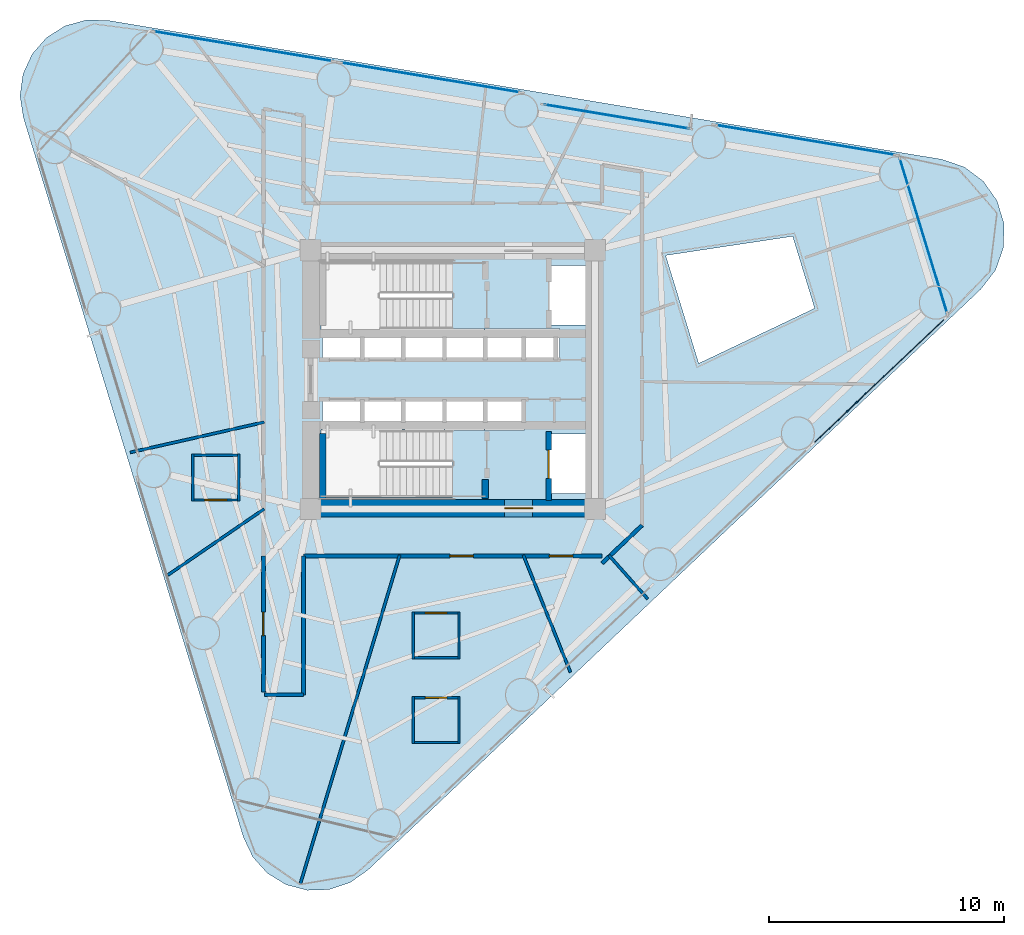
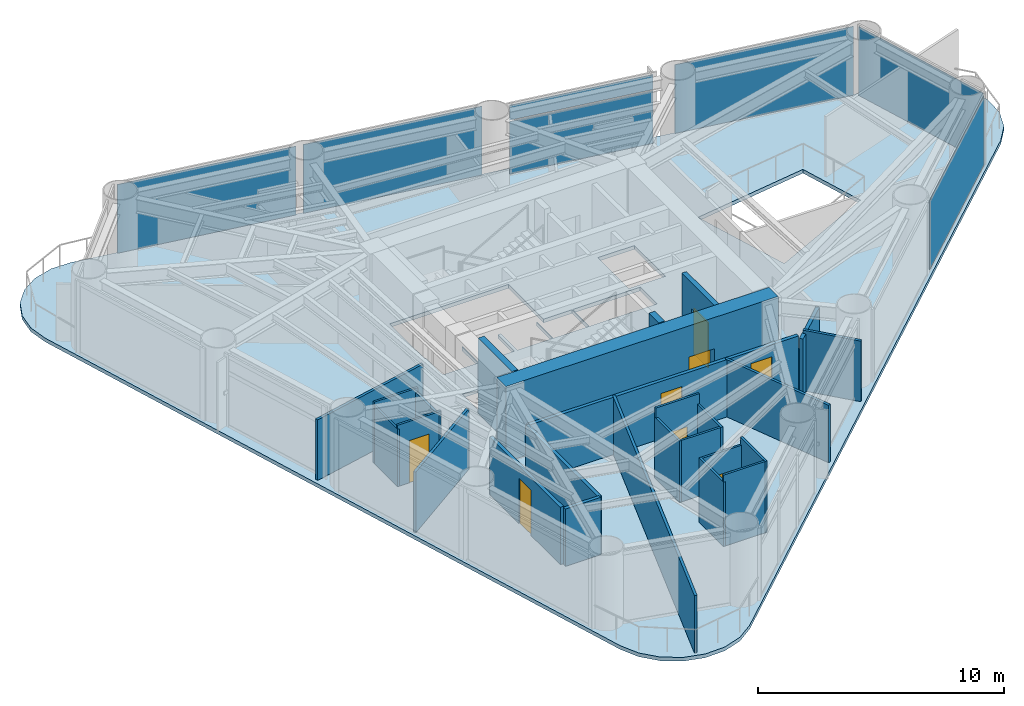
# One storey, part 5 of 10: 26 walls, 8 doors, 7 plates, 1 slab, 8 openings, 6 elements without a shape of their own.
"""IFC4 building model written with IfcOpenShell, lengths in metres."""

from ifc_helpers import new_model, si_unit, direction, frame, frame_2d, origin, origin_2d, place, context, subcontext, project, spatial, polyline, rectangle, outline, extrude, source, transform, mapped, material, layer, layer_set, type_object, element, fill, aggregate, save


model = new_model("IFC4")

# Units and contexts
model_context = context("Model", 3, precision=1e-05, world=origin(), true_north=direction((0.0, 1.0)))
body_context = subcontext(model_context, "Body", "Model", "MODEL_VIEW")
ifc_project = project(units=[si_unit("LENGTHUNIT", "METRE"), si_unit("AREAUNIT", "SQUARE_METRE"), si_unit("VOLUMEUNIT", "CUBIC_METRE"), si_unit("PLANEANGLEUNIT", "RADIAN"), si_unit("MASSUNIT", "GRAM", prefix="KILO")], contexts=[model_context])

# Site, building, storey
site_placement = place(None, origin())
site = spatial("IfcSite", under=ifc_project, at=site_placement, CompositionType="ELEMENT")
building_placement = place(site_placement, origin())
building = spatial("IfcBuilding", under=site, at=building_placement, Name="Yunling Apex Tower", CompositionType="ELEMENT")
storey_placement = place(building_placement, frame((0.0, 0.0, 97.39990234375)))
storey = spatial("IfcBuildingStorey", under=building, at=storey_placement, Name="L24", CompositionType="ELEMENT", Elevation=97.39990234375)

# Slab
ifc_material_1 = material(Name="Concrete C40", Category="concrete")
ifc_layer_1 = layer(ifc_material_1, 0.179931640625)
ifc_layer_set_1 = layer_set([ifc_layer_1], Name="Concrete C40")
slab_type = type_object("IfcSlabType", Name="SL-FLR-1", PredefinedType="FLOOR", material=ifc_layer_set_1)
slab_placement = place(storey_placement, frame((0.0, 0.0, -0.184814453125)))
element("IfcSlab", 1, at=slab_placement, inside=storey, type_object=slab_type, Name="L24 Composite Tower Floor Slab", PredefinedType="FLOOR", context=body_context, shape_type="SweptSolid", body=[
    extrude(outline(polyline([(-8.89990234375, -19.45263671875), (-8.50146484375, -20.294921875), (-7.87841796875, -20.98779296875), (-7.083251953125, -21.473388671875), (-6.182373046875, -21.710693359375), (-5.251220703125, -21.680419921875), (-4.367431640625, -21.384765625), (-3.605712890625, -20.848388671875), (22.4599609375, 3.852294921875), (23.077880859375, 4.65869140625), (23.413818359375, 5.61767578125), (23.434326171875, 6.63330078125), (23.13720703125, 7.60498046875), (22.55224609375, 8.435791015625), (21.737548828125, 9.042724609375), (20.774169921875, 9.36572265625), (-14.6474609375, 15.267822265625), (-15.5791015625, 15.28662109375), (-16.476806640625, 15.03759765625), (-17.265869140625, 14.5419921875), (-17.8798828125, 13.84130859375), (-18.267578125, 12.993896484375), (-18.396728515625, 12.0712890625), (-18.256103515625, 11.150390625), (-8.89990234375, -19.45263671875)]), holes=[polyline([(14.45068359375, 6.091064453125), (15.385986328125, 3.031005859375), (10.4560546875, 0.68701171875), (9.052490234375, 5.27734375), (14.45068359375, 6.091064453125)]), polyline([(5.81005859375, -2.320068359375), (5.81005859375, -4.840087890625), (4.090087890625, -4.840087890625), (4.090087890625, -2.320068359375), (5.81005859375, -2.320068359375)]), polyline([(5.81005859375, 4.840087890625), (5.81005859375, 2.320068359375), (4.090087890625, 2.320068359375), (4.090087890625, 4.840087890625), (5.81005859375, 4.840087890625)]), polyline([(4.534912109375, 0.794921875), (1.364990234375, 0.794921875), (1.364990234375, 2.1650390625), (4.534912109375, 2.1650390625), (4.534912109375, 0.794921875)]), polyline([(3.034912109375, -0.794921875), (3.034912109375, -2.1650390625), (1.364990234375, -2.1650390625), (1.364990234375, -0.794921875), (3.034912109375, -0.794921875)]), polyline([(-3.864990234375, -0.794921875), (-3.864990234375, -2.139892578125), (-3.8349609375, -2.139892578125), (-3.8349609375, -0.794921875), (-2.1650390625, -0.794921875), (-2.1650390625, -2.139892578125), (-2.034912109375, -2.139892578125), (-2.034912109375, -0.794921875), (-0.364990234375, -0.794921875), (-0.364990234375, -2.139892578125), (-0.3349609375, -2.139892578125), (-0.3349609375, -0.794921875), (1.3349609375, -0.794921875), (1.3349609375, -2.1650390625), (-0.010009765625, -2.1650390625), (-0.010009765625, -5.010009765625), (-5.60009765625, -5.010009765625), (-5.60009765625, -2.139892578125), (-5.534912109375, -2.139892578125), (-5.534912109375, -0.794921875), (-3.864990234375, -0.794921875)]), polyline([(-5.60009765625, 2.139892578125), (-5.60009765625, 5.010009765625), (-0.010009765625, 5.010009765625), (-0.010009765625, 2.1650390625), (1.3349609375, 2.1650390625), (1.3349609375, 0.794921875), (-0.3349609375, 0.794921875), (-0.3349609375, 2.139892578125), (-0.364990234375, 2.139892578125), (-0.364990234375, 0.794921875), (-2.034912109375, 0.794921875), (-2.034912109375, 2.139892578125), (-2.1650390625, 2.139892578125), (-2.1650390625, 0.794921875), (-3.8349609375, 0.794921875), (-3.8349609375, 2.139892578125), (-3.864990234375, 2.139892578125), (-3.864990234375, 0.794921875), (-5.534912109375, 0.794921875), (-5.534912109375, 2.139892578125), (-5.60009765625, 2.139892578125)])]), origin(), (0.0, 0.0, 1.0), 0.184814453125),
])

# Curtain wall, plates
ifc_material_2 = material(Name="Bronze anodised aluminium", Category="aluminium")
ifc_layer_2 = layer(ifc_material_2, 0.260009765625)
ifc_layer_set_2 = layer_set([ifc_layer_2], Name="Bronze anodised aluminium")
curtain_wall_type = type_object("IfcCurtainWallType", Name="CW-SYS-2", PredefinedType="NOTDEFINED", material=ifc_layer_set_2)
curtain_wall_1_placement = place(storey_placement, origin())
curtain_wall_1 = element("IfcCurtainWall", 2, at=curtain_wall_1_placement, inside=storey, type_object=curtain_wall_type, Name="CW-L24-F2-B2", PredefinedType="NOTDEFINED")
ifc_material_3 = material(Name="Bronze tinted low-E glass", Category="glass")
ifc_layer_3 = layer(ifc_material_3, 0.033935546875)
ifc_layer_set_3 = layer_set([ifc_layer_3], Name="Bronze tinted low-E glass")
plate_type = type_object("IfcPlateType", Name="CW-PNL-2", PredefinedType="CURTAIN_PANEL", material=ifc_layer_set_3)
shared_shape_1 = source(origin(), body_context, "Body", "SweptSolid", [
    extrude(rectangle(XDim=6.236328125, YDim=0.033935546875, at=origin_2d()), origin(), (0.0, 0.0, 1.0), 2.60400390625),
])
plate_1_placement = place(storey_placement, frame((6.96923828125, 11.17919921875, 0.076904296875), z_axis=(0.0, 0.0, 1.0), x_axis=(-0.986401113409, 0.164355844023, 0.0)))
plate_1 = element("IfcPlate", 3, at=plate_1_placement, type_object=plate_type, Name="CW-SYS-2 panel 1.1", PredefinedType="CURTAIN_PANEL", context=body_context, shape_type="MappedRepresentation", body=[
    mapped(shared_shape_1, transform((0.0, 0.0, 0.0), scale=1.0)),
])
shared_shape_2 = source(origin(), body_context, "Body", "SweptSolid", [
    extrude(rectangle(XDim=6.236328125, YDim=0.033935546875, at=origin_2d()), origin(), (0.0, 0.0, 1.0), 0.739013671875),
])
plate_2_placement = place(storey_placement, frame((6.96923828125, 11.17919921875, 2.74951171875), z_axis=(0.0, 0.0, 1.0), x_axis=(-0.986401113409, 0.164355844023, 0.0)))
plate_2 = element("IfcPlate", 4, at=plate_2_placement, type_object=plate_type, Name="CW-SYS-2 panel 1.2", PredefinedType="CURTAIN_PANEL", context=body_context, shape_type="MappedRepresentation", body=[
    mapped(shared_shape_2, transform((0.0, 0.0, 0.0), scale=1.0)),
])
aggregate(curtain_wall_1, [plate_1, plate_2])

# Curtain wall, plate
curtain_wall_2_placement = place(storey_placement, origin())
curtain_wall_2 = element("IfcCurtainWall", 5, at=curtain_wall_2_placement, inside=storey, type_object=curtain_wall_type, Name="CW-L24-F1-B4", PredefinedType="NOTDEFINED")
shared_shape_3 = source(origin(), body_context, "Body", "SweptSolid", [
    extrude(rectangle(XDim=7.766357421875, YDim=0.033935546875, at=origin_2d()), origin(), (0.0, 0.0, 1.0), 3.41162109375),
])
plate_3_placement = place(storey_placement, frame((18.1279296875, -0.06005859375, 0.076904296875), z_axis=(0.0, 0.0, 1.0), x_axis=(0.72584218686, 0.687861264918, 0.0)))
plate_3 = element("IfcPlate", 6, at=plate_3_placement, type_object=plate_type, Name="CW-SYS-2 panel 1.1", PredefinedType="CURTAIN_PANEL", context=body_context, shape_type="MappedRepresentation", body=[
    mapped(shared_shape_3, transform((0.0, 0.0, 0.0), scale=1.0)),
])
aggregate(curtain_wall_2, [plate_3])

curtain_wall_3_placement = place(storey_placement, origin())
curtain_wall_3 = element("IfcCurtainWall", 7, at=curtain_wall_3_placement, inside=storey, type_object=curtain_wall_type, Name="CW-L24-F2-B1", PredefinedType="NOTDEFINED")
plate_4_placement = place(storey_placement, frame((14.9951171875, 10.186767578125, 0.076904296875), z_axis=(0.0, 0.0, 1.0), x_axis=(-0.98640040698, 0.16436008369, 0.0)))
plate_4 = element("IfcPlate", 8, at=plate_4_placement, type_object=plate_type, Name="CW-SYS-2 panel 1.1", PredefinedType="CURTAIN_PANEL", context=body_context, shape_type="MappedRepresentation", body=[
    mapped(shared_shape_3, transform((0.0, 0.0, 0.0), scale=1.0)),
])
aggregate(curtain_wall_3, [plate_4])

curtain_wall_4_placement = place(storey_placement, origin())
curtain_wall_4 = element("IfcCurtainWall", 9, at=curtain_wall_4_placement, inside=storey, type_object=curtain_wall_type, Name="CW-L24-F2-B4", PredefinedType="NOTDEFINED")
plate_5_placement = place(storey_placement, frame((-8.91455078125, 14.170654296875, 0.076904296875), z_axis=(0.0, 0.0, 1.0), x_axis=(-0.98640040698, 0.16436008369, 0.0)))
plate_5 = element("IfcPlate", 10, at=plate_5_placement, type_object=plate_type, Name="CW-SYS-2 panel 1.1", PredefinedType="CURTAIN_PANEL", context=body_context, shape_type="MappedRepresentation", body=[
    mapped(shared_shape_3, transform((0.0, 0.0, 0.0), scale=1.0)),
])
aggregate(curtain_wall_4, [plate_5])

curtain_wall_5_placement = place(storey_placement, origin())
curtain_wall_5 = element("IfcCurtainWall", 11, at=curtain_wall_5_placement, inside=storey, type_object=curtain_wall_type, Name="CW-L24-CRN1", PredefinedType="NOTDEFINED")
shared_shape_4 = source(origin(), body_context, "Body", "SweptSolid", [
    extrude(rectangle(XDim=6.925537109375, YDim=0.033935546875, at=origin_2d()), origin(), (0.0, 0.0, 1.0), 3.41162109375),
])
plate_6_placement = place(storey_placement, frame((20.01171875, 6.1181640625, 0.076904296875), z_axis=(0.0, 0.0, 1.0), x_axis=(-0.292375009223, 0.95630374567, 0.0)))
plate_6 = element("IfcPlate", 12, at=plate_6_placement, type_object=plate_type, Name="CW-SYS-2 panel 1.1", PredefinedType="CURTAIN_PANEL", context=body_context, shape_type="MappedRepresentation", body=[
    mapped(shared_shape_4, transform((0.0, 0.0, 0.0), scale=1.0)),
])
aggregate(curtain_wall_5, [plate_6])

curtain_wall_6_placement = place(storey_placement, origin())
curtain_wall_6 = element("IfcCurtainWall", 13, at=curtain_wall_6_placement, inside=storey, type_object=curtain_wall_type, Name="CW-L24-F2-B3", PredefinedType="NOTDEFINED")
shared_shape_5 = source(origin(), body_context, "Body", "SweptSolid", [
    extrude(rectangle(XDim=7.76611328125, YDim=0.033935546875, at=origin_2d()), origin(), (0.0, 0.0, 1.0), 3.41162109375),
])
plate_7_placement = place(storey_placement, frame((-0.944580078125, 12.8427734375, 0.076904296875), z_axis=(0.0, 0.0, 1.0), x_axis=(-0.986400065878, 0.164362130784, 0.0)))
plate_7 = element("IfcPlate", 14, at=plate_7_placement, type_object=plate_type, Name="CW-SYS-2 panel 1.1", PredefinedType="CURTAIN_PANEL", context=body_context, shape_type="MappedRepresentation", body=[
    mapped(shared_shape_5, transform((0.0, 0.0, 0.0), scale=1.0)),
])
aggregate(curtain_wall_6, [plate_7])

# Wall, opening, door
ifc_material_4 = material(Name="Concrete C60", Category="concrete")
ifc_layer_4 = layer(ifc_material_4, 0.75)
ifc_layer_set_4 = layer_set([ifc_layer_4], Name="Concrete C60")
wall_type_1 = type_object("IfcWallType", Name="WL-COR-1", PredefinedType="SHEAR", material=ifc_layer_set_4)
wall_1_placement = place(storey_placement, frame((-6.39990234375, -5.47509765625, 0.0), z_axis=(0.0, 0.0, 1.0), x_axis=(1.0, 0.0, 0.0)))
wall_1 = element("IfcWall", 15, at=wall_1_placement, inside=storey, type_object=wall_type_1, Name="L24 South Core Shear Wall", PredefinedType="SHEAR", context=body_context, shape_type="SweptSolid", body=[
    extrude(rectangle(XDim=12.7998046875, YDim=0.75, at=frame_2d((6.39990234375, 0.0))), origin(), (0.0, 0.0, 1.0), 3.75),
])
opening_1_placement = place(wall_1_placement, frame((8.60009765625, 0.0, 0.0)))
opening_1 = element("IfcOpeningElement", 16, at=opening_1_placement, cuts=wall_1, Name="Opening DR-FFL-1", PredefinedType="OPENING", context=body_context, shape_type="SweptSolid", body=[
    extrude(rectangle(XDim=1.199951171875, YDim=2.199951171875, at=frame_2d((0.60009765625, 1.10009765625))), frame((0.0, 0.385009765625, 0.0), z_axis=(0.0, -1.0, 0.0), x_axis=(1.0, 0.0, 0.0)), (0.0, 0.0, 1.0), 0.77001953125),
])
ifc_material_5 = material(Name="Steel Q355B", Category="steel")
door_type_1 = type_object("IfcDoorType", Name="DR-FFL-1", OperationType="NOTDEFINED", PredefinedType="DOOR", material=ifc_material_5)
door_1_placement = place(opening_1_placement, origin())
door_1 = element("IfcDoor", 17, at=door_1_placement, inside=storey, type_object=door_type_1, Name="L24 South Firefighting Lobby Door", OperationType="SINGLE_SWING_RIGHT", OverallHeight=2.199951171875, OverallWidth=1.199951171875, PredefinedType="DOOR", context=body_context, shape_type="SweptSolid", body=[
    extrude(rectangle(XDim=1.199951171875, YDim=2.199951171875, at=frame_2d((0.60009765625, 1.10009765625))), frame((0.0, 0.02490234375, 0.0), z_axis=(0.0, -1.0, 0.0), x_axis=(1.0, 0.0, 0.0)), (0.0, 0.0, 1.0), 0.050048828125),
])
fill(opening_1, door_1)

# Walls
ifc_layer_5 = layer(ifc_material_1, 0.280029296875)
ifc_layer_set_5 = layer_set([ifc_layer_5], Name="Concrete C40")
wall_type_2 = type_object("IfcWallType", Name="WL-COR-8", PredefinedType="SHEAR", material=ifc_layer_set_5)
wall_2_placement = place(storey_placement, frame((-5.52001953125, -5.050048828125, 0.0), z_axis=(0.0, 0.0, 1.0), x_axis=(0.0, 1.0, 0.0)))
element("IfcWall", 18, at=wall_2_placement, inside=storey, type_object=wall_type_2, Name="L24 ST-2 West Landing Bearing Wall", PredefinedType="SHEAR", context=body_context, shape_type="SweptSolid", body=[
    extrude(rectangle(XDim=2.75, YDim=0.280029296875, at=frame_2d((1.375, 0.0))), origin(), (0.0, 0.0, 1.0), 3.75),
])
wall_3_placement = place(storey_placement, frame((1.3798828125, -5.050048828125, 0.0), z_axis=(0.0, 0.0, 1.0), x_axis=(0.0, 1.0, 0.0)))
element("IfcWall", 19, at=wall_3_placement, inside=storey, type_object=wall_type_2, Name="L24 ST-2 East Landing Bearing Pier", PredefinedType="SHEAR", context=body_context, shape_type="SweptSolid", body=[
    extrude(rectangle(XDim=0.800048828125, YDim=0.280029296875, at=frame_2d((0.39990234375, 0.0))), origin(), (0.0, 0.0, 1.0), 3.75),
])

# Wall, opening, door
ifc_material_6 = material(Name="Gypsum board acoustic partition")
ifc_layer_6 = layer(ifc_material_6, 0.159912109375)
ifc_layer_set_6 = layer_set([ifc_layer_6], Name="Gypsum board acoustic partition")
wall_type_3 = type_object("IfcWallType", Name="WL-PRT-1", PredefinedType="PARTITIONING", material=ifc_layer_set_6)
wall_4_placement = place(storey_placement, frame((-8.050048828125, -13.27099609375, 0.0), z_axis=(0.0, 0.0, 1.0), x_axis=(0.0, 1.0, 0.0)))
wall_4 = element("IfcWall", 20, at=wall_4_placement, inside=storey, type_object=wall_type_3, Name="WL-CORR-L24-01", PredefinedType="PARTITIONING", context=body_context, shape_type="SweptSolid", body=[
    extrude(rectangle(XDim=5.77099609375, YDim=0.159912109375, at=frame_2d((2.885498046875, 0.0))), origin(), (0.0, 0.0, 1.0), 2.85009765625),
])
opening_2_placement = place(wall_4_placement, frame((2.385498046875, 0.0, 0.0)))
opening_2 = element("IfcOpeningElement", 21, at=opening_2_placement, cuts=wall_4, Name="Opening DR-OFF-1", PredefinedType="OPENING", context=body_context, shape_type="SweptSolid", body=[
    extrude(rectangle(XDim=1.0, YDim=2.25, at=frame_2d((0.5, 1.125))), frame((0.0, 0.08984375, 0.0), z_axis=(0.0, -1.0, 0.0), x_axis=(1.0, 0.0, 0.0)), (0.0, 0.0, 1.0), 0.179931640625),
])
door_type_2 = type_object("IfcDoorType", Name="DR-OFF-1", OperationType="NOTDEFINED", PredefinedType="DOOR", material=ifc_material_2)
door_2_placement = place(opening_2_placement, origin())
door_2 = element("IfcDoor", 22, at=door_2_placement, inside=storey, type_object=door_type_2, Name="L24 Administration Staff Room Door", OperationType="SINGLE_SWING_RIGHT", OverallHeight=2.25, OverallWidth=1.0, PredefinedType="DOOR", context=body_context, shape_type="SweptSolid", body=[
    extrude(rectangle(XDim=1.0, YDim=2.25, at=frame_2d((0.5, 1.125))), frame((0.0, 0.02490234375, 0.0), z_axis=(0.0, -1.0, 0.0), x_axis=(1.0, 0.0, 0.0)), (0.0, 0.0, 1.0), 0.050048828125),
])
fill(opening_2, door_2)

# Wall
wall_5_placement = place(storey_placement, frame((8.050048828125, -6.193603515625, 0.0), z_axis=(0.0, 0.0, 1.0), x_axis=(-0.725875977514, -0.687825606726, 0.0)))
element("IfcWall", 23, at=wall_5_placement, inside=storey, type_object=wall_type_3, Name="WL-CORR-L24-12", PredefinedType="PARTITIONING", context=body_context, shape_type="SweptSolid", body=[
    extrude(rectangle(XDim=2.342041015625, YDim=0.159912109375, at=frame_2d((1.1708984375, 0.0))), origin(), (0.0, 0.0, 1.0), 2.85009765625),
])

# Wall, openings, doors
wall_6_placement = place(storey_placement, frame((6.35009765625, -7.5, 0.0), z_axis=(0.0, 0.0, 1.0), x_axis=(-1.0, 0.0, 0.0)))
wall_6 = element("IfcWall", 24, at=wall_6_placement, inside=storey, type_object=wall_type_3, Name="WL-CORR-L24-14", PredefinedType="PARTITIONING", context=body_context, shape_type="SweptSolid", body=[
    extrude(rectangle(XDim=12.7001953125, YDim=0.159912109375, at=frame_2d((6.35009765625, 0.0))), origin(), (0.0, 0.0, 1.0), 2.85009765625),
])
opening_3_placement = place(wall_6_placement, frame((1.24169921875, 0.0, 0.0)))
opening_3 = element("IfcOpeningElement", 25, at=opening_3_placement, cuts=wall_6, Name="Opening DR-OFF-1", PredefinedType="OPENING", context=body_context, shape_type="SweptSolid", body=[
    extrude(rectangle(XDim=1.0, YDim=2.25, at=frame_2d((0.5, 1.125))), frame((0.0, 0.08984375, 0.0), z_axis=(0.0, -1.0, 0.0), x_axis=(1.0, 0.0, 0.0)), (0.0, 0.0, 1.0), 0.179931640625),
])
opening_4_placement = place(wall_6_placement, frame((5.471923828125, 0.0, 0.0)))
opening_4 = element("IfcOpeningElement", 26, at=opening_4_placement, cuts=wall_6, Name="Opening DR-OFF-1", PredefinedType="OPENING", context=body_context, shape_type="SweptSolid", body=[
    extrude(rectangle(XDim=1.0, YDim=2.25, at=frame_2d((0.5, 1.125))), frame((0.0, 0.08984375, 0.0), z_axis=(0.0, -1.0, 0.0), x_axis=(1.0, 0.0, 0.0)), (0.0, 0.0, 1.0), 0.179931640625),
])
door_3_placement = place(opening_3_placement, origin())
door_3 = element("IfcDoor", 27, at=door_3_placement, inside=storey, type_object=door_type_2, Name="L24 Tea Point Kitchen Door", OperationType="SINGLE_SWING_LEFT", OverallHeight=2.25, OverallWidth=1.0, PredefinedType="DOOR", context=body_context, shape_type="SweptSolid", body=[
    extrude(rectangle(XDim=1.0, YDim=2.25, at=frame_2d((0.5, 1.125))), frame((0.0, 0.02490234375, 0.0), z_axis=(0.0, -1.0, 0.0), x_axis=(1.0, 0.0, 0.0)), (0.0, 0.0, 1.0), 0.050048828125),
])
fill(opening_3, door_3)
door_4_placement = place(opening_4_placement, origin())
door_4 = element("IfcDoor", 28, at=door_4_placement, inside=storey, type_object=door_type_2, Name="L24 Service Foyer Lounge Door", OperationType="SINGLE_SWING_RIGHT", OverallHeight=2.25, OverallWidth=1.0, PredefinedType="DOOR", context=body_context, shape_type="SweptSolid", body=[
    extrude(rectangle(XDim=1.0, YDim=2.25, at=frame_2d((0.5, 1.125))), frame((0.0, 0.02490234375, 0.0), z_axis=(0.0, -1.0, 0.0), x_axis=(1.0, 0.0, 0.0)), (0.0, 0.0, 1.0), 0.050048828125),
])
fill(opening_4, door_4)

# Walls
wall_7_placement = place(storey_placement, frame((-6.35009765625, -7.5, 0.0), z_axis=(0.0, 0.0, 1.0), x_axis=(0.0, -1.0, 0.0)))
element("IfcWall", 29, at=wall_7_placement, inside=storey, type_object=wall_type_3, Name="WL-CORR-L24-15", PredefinedType="PARTITIONING", context=body_context, shape_type="SweptSolid", body=[
    extrude(rectangle(XDim=5.89990234375, YDim=0.159912109375, at=frame_2d((2.949951171875, 0.0))), origin(), (0.0, 0.0, 1.0), 2.85009765625),
])
wall_8_placement = place(storey_placement, frame((-6.35009765625, -13.39990234375, 0.0), z_axis=(0.0, 0.0, 1.0), x_axis=(-1.0, 0.0, 0.0)))
element("IfcWall", 30, at=wall_8_placement, inside=storey, type_object=wall_type_3, Name="WL-CORR-L24-16", PredefinedType="PARTITIONING", context=body_context, shape_type="SweptSolid", body=[
    extrude(rectangle(XDim=1.660400390625, YDim=0.159912109375, at=frame_2d((0.830078125, 0.0))), origin(), (0.0, 0.0, 1.0), 2.85009765625),
])
ifc_layer_7 = layer(ifc_material_6, 0.1201171875)
ifc_layer_set_7 = layer_set([ifc_layer_7], Name="Gypsum board acoustic partition")
wall_type_4 = type_object("IfcWallType", Name="WL-PRT-3", PredefinedType="PARTITIONING", material=ifc_layer_set_7)
wall_9_placement = place(storey_placement, frame((-8.010009765625, -1.80908203125, 0.0), z_axis=(0.0, 0.0, 1.0), x_axis=(-0.975429422211, -0.220312147384, 0.0)))
element("IfcWall", 31, at=wall_9_placement, inside=storey, type_object=wall_type_4, Name="WL-RAD-L24-02", PredefinedType="PARTITIONING", context=body_context, shape_type="SweptSolid", body=[
    extrude(rectangle(XDim=5.845458984375, YDim=0.1201171875, at=frame_2d((2.9228515625, 0.0))), origin(), (0.0, 0.0, 1.0), 3.010009765625),
])
wall_10_placement = place(storey_placement, frame((-8.010009765625, -5.495849609375, 0.0), z_axis=(0.0, 0.0, 1.0), x_axis=(-0.824586433319, -0.565735993186, 0.0)))
element("IfcWall", 32, at=wall_10_placement, inside=storey, type_object=wall_type_4, Name="WL-RAD-L24-03", PredefinedType="PARTITIONING", context=body_context, shape_type="SweptSolid", body=[
    extrude(rectangle(XDim=4.98095703125, YDim=0.1201171875, at=frame_2d((2.490478515625, 0.0))), origin(), (0.0, 0.0, 1.0), 3.010009765625),
])
wall_11_placement = place(storey_placement, frame((-2.2548828125, -7.4599609375, 0.0), z_axis=(0.0, 0.0, 1.0), x_axis=(-0.289332531311, -0.957228648926, 0.0)))
element("IfcWall", 33, at=wall_11_placement, inside=storey, type_object=wall_type_4, Name="WL-RAD-L24-04", PredefinedType="PARTITIONING", context=body_context, shape_type="SweptSolid", body=[
    extrude(rectangle(XDim=14.610595703125, YDim=0.1201171875, at=frame_2d((7.30517578125, 0.0))), origin(), (0.0, 0.0, 1.0), 2.85009765625),
])
wall_12_placement = place(storey_placement, frame((3.000244140625, -7.4599609375, 0.0), z_axis=(0.0, 0.0, 1.0), x_axis=(0.37313810105, -0.927775812115, 0.0)))
element("IfcWall", 34, at=wall_12_placement, inside=storey, type_object=wall_type_4, Name="WL-RAD-L24-05", PredefinedType="PARTITIONING", context=body_context, shape_type="SweptSolid", body=[
    extrude(rectangle(XDim=5.369873046875, YDim=0.1201171875, at=frame_2d((2.68505859375, 0.0))), origin(), (0.0, 0.0, 1.0), 2.85009765625),
])
wall_13_placement = place(storey_placement, frame((6.642578125, -7.47216796875, 0.0), z_axis=(0.0, 0.0, 1.0), x_axis=(0.66436383883, -0.747409318684, 0.0)))
element("IfcWall", 35, at=wall_13_placement, inside=storey, type_object=wall_type_4, Name="WL-RAD-L24-06", PredefinedType="PARTITIONING", context=body_context, shape_type="SweptSolid", body=[
    extrude(rectangle(XDim=2.481201171875, YDim=0.1201171875, at=frame_2d((1.24072265625, 0.0))), origin(), (0.0, 0.0, 1.0), 3.010009765625),
])

# Wall, opening, door
ifc_layer_8 = layer(ifc_material_6, 0.10009765625)
ifc_layer_set_8 = layer_set([ifc_layer_8], Name="Gypsum board acoustic partition")
wall_type_5 = type_object("IfcWallType", Name="WL-PRT-4", PredefinedType="PARTITIONING", material=ifc_layer_set_8)
wall_14_placement = place(storey_placement, frame((-1.73291015625, -13.528076171875, 0.0), z_axis=(0.0, 0.0, 1.0), x_axis=(1.0, 0.0, 0.0)))
wall_14 = element("IfcWall", 36, at=wall_14_placement, inside=storey, type_object=wall_type_5, Name="WL-L24-WCMN", PredefinedType="PARTITIONING", context=body_context, shape_type="SweptSolid", body=[
    extrude(rectangle(XDim=2.0498046875, YDim=0.10009765625, at=frame_2d((1.02490234375, 0.0))), origin(), (0.0, 0.0, 1.0), 3.2001953125),
])
opening_5_placement = place(wall_14_placement, frame((0.56494140625, 0.0, 0.0)))
opening_5 = element("IfcOpeningElement", 37, at=opening_5_placement, cuts=wall_14, Name="Opening DR-WC-1", PredefinedType="OPENING", context=body_context, shape_type="SweptSolid", body=[
    extrude(rectangle(XDim=0.919921875, YDim=2.10009765625, at=frame_2d((0.4599609375, 1.050048828125))), frame((0.0, 0.06005859375, 0.0), z_axis=(0.0, -1.0, 0.0), x_axis=(1.0, 0.0, 0.0)), (0.0, 0.0, 1.0), 0.1201171875),
])
ifc_material_7 = material(Name="Timber moisture-resistant leaf", Category="wood")
door_type_3 = type_object("IfcDoorType", Name="DR-WC-1", OperationType="NOTDEFINED", PredefinedType="DOOR", material=ifc_material_7)
door_5_placement = place(opening_5_placement, origin())
door_5 = element("IfcDoor", 38, at=door_5_placement, inside=storey, type_object=door_type_3, Name="L24 Male Toilet Door", OperationType="SINGLE_SWING_LEFT", OverallHeight=2.10009765625, OverallWidth=0.919921875, PredefinedType="DOOR", context=body_context, shape_type="SweptSolid", body=[
    extrude(rectangle(XDim=0.919921875, YDim=2.10009765625, at=frame_2d((0.4599609375, 1.050048828125))), frame((0.0, 0.02490234375, 0.0), z_axis=(0.0, -1.0, 0.0), x_axis=(1.0, 0.0, 0.0)), (0.0, 0.0, 1.0), 0.050048828125),
])
fill(opening_5, door_5)

# Walls
wall_15_placement = place(storey_placement, frame((0.31689453125, -15.427978515625, 0.0), z_axis=(0.0, 0.0, 1.0), x_axis=(-1.0, 0.0, 0.0)))
element("IfcWall", 39, at=wall_15_placement, inside=storey, type_object=wall_type_5, Name="WL-L24-WCMS", PredefinedType="PARTITIONING", context=body_context, shape_type="SweptSolid", body=[
    extrude(rectangle(XDim=2.0498046875, YDim=0.10009765625, at=frame_2d((1.02490234375, 0.0))), origin(), (0.0, 0.0, 1.0), 3.545166015625),
])
wall_16_placement = place(storey_placement, frame((0.26708984375, -13.47802734375, 0.0), z_axis=(0.0, 0.0, 1.0), x_axis=(0.0, -1.0, 0.0)))
element("IfcWall", 40, at=wall_16_placement, inside=storey, type_object=wall_type_5, Name="WL-L24-WCME", PredefinedType="PARTITIONING", context=body_context, shape_type="SweptSolid", body=[
    extrude(rectangle(XDim=2.0, YDim=0.10009765625, at=frame_2d((1.0, 0.0))), origin(), (0.0, 0.0, 1.0), 3.545166015625),
])
wall_17_placement = place(storey_placement, frame((-1.68310546875, -15.47802734375, 0.0), z_axis=(0.0, 0.0, 1.0), x_axis=(0.0, 1.0, 0.0)))
element("IfcWall", 41, at=wall_17_placement, inside=storey, type_object=wall_type_5, Name="WL-L24-WCMW", PredefinedType="PARTITIONING", context=body_context, shape_type="SweptSolid", body=[
    extrude(rectangle(XDim=2.0, YDim=0.10009765625, at=frame_2d((1.0, 0.0))), origin(), (0.0, 0.0, 1.0), 3.2001953125),
])

# Wall, opening, door
wall_18_placement = place(storey_placement, frame((-1.73291015625, -9.923095703125, 0.0), z_axis=(0.0, 0.0, 1.0), x_axis=(1.0, 0.0, 0.0)))
wall_18 = element("IfcWall", 42, at=wall_18_placement, inside=storey, type_object=wall_type_5, Name="WL-L24-WCFN", PredefinedType="PARTITIONING", context=body_context, shape_type="SweptSolid", body=[
    extrude(rectangle(XDim=2.0498046875, YDim=0.10009765625, at=frame_2d((1.02490234375, 0.0))), origin(), (0.0, 0.0, 1.0), 3.545166015625),
])
opening_6_placement = place(wall_18_placement, frame((0.56494140625, 0.0, 0.0)))
opening_6 = element("IfcOpeningElement", 43, at=opening_6_placement, cuts=wall_18, Name="Opening DR-WC-1", PredefinedType="OPENING", context=body_context, shape_type="SweptSolid", body=[
    extrude(rectangle(XDim=0.919921875, YDim=2.10009765625, at=frame_2d((0.4599609375, 1.050048828125))), frame((0.0, 0.06005859375, 0.0), z_axis=(0.0, -1.0, 0.0), x_axis=(1.0, 0.0, 0.0)), (0.0, 0.0, 1.0), 0.1201171875),
])
door_6_placement = place(opening_6_placement, origin())
door_6 = element("IfcDoor", 44, at=door_6_placement, inside=storey, type_object=door_type_3, Name="L24 Female Toilet Door", OperationType="SINGLE_SWING_RIGHT", OverallHeight=2.10009765625, OverallWidth=0.919921875, PredefinedType="DOOR", context=body_context, shape_type="SweptSolid", body=[
    extrude(rectangle(XDim=0.919921875, YDim=2.10009765625, at=frame_2d((0.4599609375, 1.050048828125))), frame((0.0, 0.02490234375, 0.0), z_axis=(0.0, -1.0, 0.0), x_axis=(1.0, 0.0, 0.0)), (0.0, 0.0, 1.0), 0.050048828125),
])
fill(opening_6, door_6)

# Walls
wall_19_placement = place(storey_placement, frame((0.31689453125, -11.822998046875, 0.0), z_axis=(0.0, 0.0, 1.0), x_axis=(-1.0, 0.0, 0.0)))
element("IfcWall", 45, at=wall_19_placement, inside=storey, type_object=wall_type_5, Name="WL-L24-WCFS", PredefinedType="PARTITIONING", context=body_context, shape_type="SweptSolid", body=[
    extrude(rectangle(XDim=2.0498046875, YDim=0.10009765625, at=frame_2d((1.02490234375, 0.0))), origin(), (0.0, 0.0, 1.0), 3.050048828125),
])
for number, where, z_axis, x_axis, name in (
    (46, (0.26708984375, -9.873046875, 0.0), (0.0, 0.0, 1.0), (0.0, -1.0, 0.0), "WL-L24-WCFE"),
    (47, (-1.68310546875, -11.873046875, 0.0), (0.0, 0.0, 1.0), (0.0, 1.0, 0.0), "WL-L24-WCFW"),
):
    element("IfcWall", number, at=place(storey_placement, frame(where, z_axis=z_axis, x_axis=x_axis)), inside=storey, type_object=wall_type_5, Name=name, PredefinedType="PARTITIONING", context=body_context, shape_type="SweptSolid", body=[
        extrude(rectangle(XDim=2.0, YDim=0.10009765625, at=frame_2d((1.0, 0.0))), origin(), (0.0, 0.0, 1.0), 3.050048828125),
    ])
wall_20_placement = place(storey_placement, frame((-11.10302734375, -3.217041015625, 0.0), z_axis=(0.0, 0.0, 1.0), x_axis=(1.0, 0.0, 0.0)))
element("IfcWall", 48, at=wall_20_placement, inside=storey, type_object=wall_type_5, Name="WL-L24-WCFB0N", PredefinedType="PARTITIONING", context=body_context, shape_type="SweptSolid", body=[
    extrude(rectangle(XDim=2.050048828125, YDim=0.10009765625, at=frame_2d((1.02490234375, 0.0))), origin(), (0.0, 0.0, 1.0), 3.050048828125),
])

# Wall, opening, door
wall_21_placement = place(storey_placement, frame((-9.052978515625, -5.116943359375, 0.0), z_axis=(0.0, 0.0, 1.0), x_axis=(-1.0, 0.0, 0.0)))
wall_21 = element("IfcWall", 49, at=wall_21_placement, inside=storey, type_object=wall_type_5, Name="WL-L24-WCFB0S", PredefinedType="PARTITIONING", context=body_context, shape_type="SweptSolid", body=[
    extrude(rectangle(XDim=2.050048828125, YDim=0.10009765625, at=frame_2d((1.02490234375, 0.0))), origin(), (0.0, 0.0, 1.0), 3.050048828125),
])
opening_7_placement = place(wall_21_placement, frame((0.56494140625, 0.0, 0.0)))
opening_7 = element("IfcOpeningElement", 50, at=opening_7_placement, cuts=wall_21, Name="Opening DR-WC-1", PredefinedType="OPENING", context=body_context, shape_type="SweptSolid", body=[
    extrude(rectangle(XDim=0.919921875, YDim=2.10009765625, at=frame_2d((0.4599609375, 1.050048828125))), frame((0.0, 0.06005859375, 0.0), z_axis=(0.0, -1.0, 0.0), x_axis=(1.0, 0.0, 0.0)), (0.0, 0.0, 1.0), 0.1201171875),
])
door_7_placement = place(opening_7_placement, origin())
door_7 = element("IfcDoor", 51, at=door_7_placement, inside=storey, type_object=door_type_3, Name="L24 Accessible WC Door", OperationType="SINGLE_SWING_LEFT", OverallHeight=2.10009765625, OverallWidth=0.919921875, PredefinedType="DOOR", context=body_context, shape_type="SweptSolid", body=[
    extrude(rectangle(XDim=0.919921875, YDim=2.10009765625, at=frame_2d((0.4599609375, 1.050048828125))), frame((0.0, 0.02490234375, 0.0), z_axis=(0.0, -1.0, 0.0), x_axis=(1.0, 0.0, 0.0)), (0.0, 0.0, 1.0), 0.050048828125),
])
fill(opening_7, door_7)

# Walls
for number, where, z_axis, x_axis, name in (
    (52, (-9.10302734375, -3.1669921875, 0.0), (0.0, 0.0, 1.0), (0.0, -1.0, 0.0), "WL-L24-WCFB0E"),
    (53, (-11.052978515625, -5.1669921875, 0.0), (0.0, 0.0, 1.0), (0.0, 1.0, 0.0), "WL-L24-WCFB0W"),
):
    element("IfcWall", number, at=place(storey_placement, frame(where, z_axis=z_axis, x_axis=x_axis)), inside=storey, type_object=wall_type_5, Name=name, PredefinedType="PARTITIONING", context=body_context, shape_type="SweptSolid", body=[
        extrude(rectangle(XDim=2.0, YDim=0.10009765625, at=frame_2d((1.0, 0.0))), origin(), (0.0, 0.0, 1.0), 2.85009765625),
    ])

# Wall, opening, door
ifc_material_8 = material(Name="Autoclaved aerated concrete masonry", Category="masonry")
ifc_layer_9 = layer(ifc_material_8, 0.219970703125)
ifc_layer_set_9 = layer_set([ifc_layer_9], Name="Autoclaved aerated concrete masonry")
wall_type_6 = type_object("IfcWallType", Name="WL-SHF-1", PredefinedType="PLUMBINGWALL", material=ifc_layer_set_9)
wall_22_placement = place(storey_placement, frame((4.080078125, -5.14990234375, 0.0), z_axis=(0.0, 0.0, 1.0), x_axis=(0.0, 1.0, 0.0)))
wall_22 = element("IfcWall", 54, at=wall_22_placement, inside=storey, type_object=wall_type_6, Name="WL-FFL2-W-L24", PredefinedType="PLUMBINGWALL", context=body_context, shape_type="SweptSolid", body=[
    extrude(rectangle(XDim=2.949951171875, YDim=0.219970703125, at=frame_2d((1.47509765625, 0.0))), origin(), (0.0, 0.0, 1.0), 3.545166015625),
])
opening_8_placement = place(wall_22_placement, frame((0.949951171875, 0.0, 0.0)))
opening_8 = element("IfcOpeningElement", 55, at=opening_8_placement, cuts=wall_22, Name="Opening LD-FFL-1", PredefinedType="OPENING", context=body_context, shape_type="SweptSolid", body=[
    extrude(rectangle(XDim=1.199951171875, YDim=2.25, at=frame_2d((0.60009765625, 1.125))), frame((0.0, 0.1201171875, 0.0), z_axis=(0.0, -1.0, 0.0), x_axis=(1.0, 0.0, 0.0)), (0.0, 0.0, 1.0), 0.239990234375),
])
door_type_4 = type_object("IfcDoorType", Name="LD-FFL-1", OperationType="DOUBLE_DOOR_SLIDING", PredefinedType="DOOR", material=ifc_material_5)
door_8_placement = place(opening_8_placement, origin())
door_8 = element("IfcDoor", 56, at=door_8_placement, inside=storey, type_object=door_type_4, Name="L24 Lift FFL-2 Landing Door", OperationType="DOUBLE_DOOR_SLIDING", OverallHeight=2.25, OverallWidth=1.199951171875, PredefinedType="DOOR", context=body_context, shape_type="SweptSolid", body=[
    extrude(rectangle(XDim=1.199951171875, YDim=2.25, at=frame_2d((0.60009765625, 1.125))), frame((0.0, 0.02490234375, 0.0), z_axis=(0.0, -1.0, 0.0), x_axis=(1.0, 0.0, 0.0)), (0.0, 0.0, 1.0), 0.050048828125),
])
fill(opening_8, door_8)

save(model, "model.ifc")
